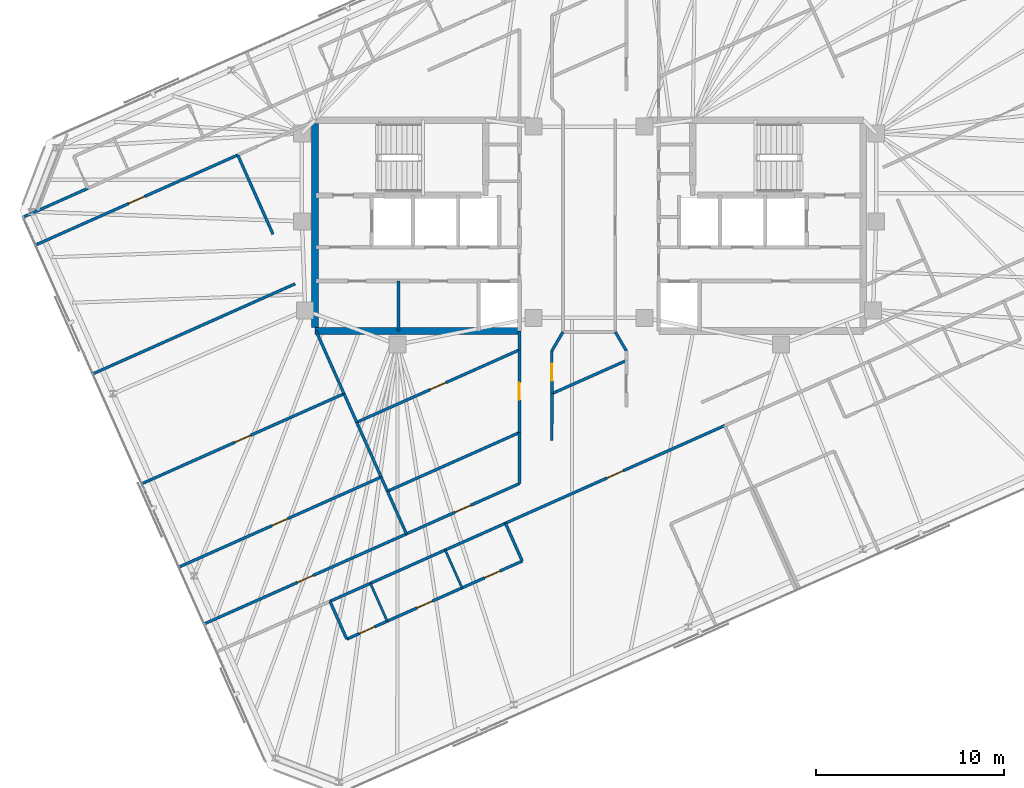
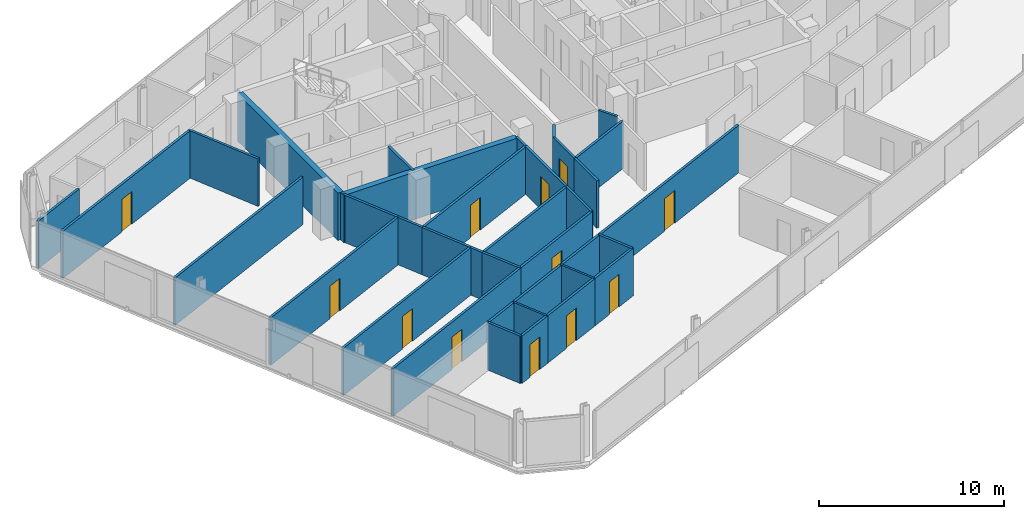
# One storey, part 13 of 19: 37 walls, 12 doors, 12 openings.
"""IFC4 building model written with IfcOpenShell, lengths in metres."""

from ifc_helpers import new_model, si_unit, direction, frame, frame_2d, origin, place, context, subcontext, project, spatial, rectangle, extrude, material, layer, layer_set, type_object, element, fill, save


model = new_model("IFC4")

# Units and contexts
model_context = context("Model", 3, precision=1e-05, world=origin(), true_north=direction((0.0, 1.0)))
body_context = subcontext(model_context, "Body", "Model", "MODEL_VIEW")
ifc_project = project(units=[si_unit("LENGTHUNIT", "METRE"), si_unit("AREAUNIT", "SQUARE_METRE"), si_unit("VOLUMEUNIT", "CUBIC_METRE"), si_unit("PLANEANGLEUNIT", "RADIAN"), si_unit("MASSUNIT", "GRAM", prefix="KILO")], contexts=[model_context])

# Site, building, storey
site_placement = place(None, origin())
site = spatial("IfcSite", under=ifc_project, at=site_placement, CompositionType="ELEMENT")
building_placement = place(site_placement, origin())
building = spatial("IfcBuilding", under=site, at=building_placement, Name="Menara Jurai Vektor", CompositionType="ELEMENT")
storey_placement = place(building_placement, frame((0.0, 0.0, 265.550048828125)))
storey = spatial("IfcBuildingStorey", under=building, at=storey_placement, Name="L71", CompositionType="ELEMENT", Elevation=265.550048828125)

# Walls
ifc_material_1 = material(Name="Gypsum Fireboard Partition", Category="gypsum")
ifc_layer_1 = layer(ifc_material_1, 0.14990234375)
ifc_layer_set_1 = layer_set([ifc_layer_1], Name="Gypsum Fireboard Partition")
wall_type_1 = type_object("IfcWallType", Name="INT-WALL-CORR-150", PredefinedType="PARTITIONING", material=ifc_layer_set_1)
wall_1_placement = place(storey_placement, frame((-10.1201171875, -5.60009765625, 0.0), z_axis=(0.0, 0.0, 1.0), x_axis=(0.0, 1.0, 0.0)))
element("IfcWall", 1, at=wall_1_placement, inside=storey, type_object=wall_type_1, Name="Interior Wall IW-150 L71", PredefinedType="PARTITIONING", context=body_context, shape_type="SweptSolid", body=[
    extrude(rectangle(XDim=2.650146484375, YDim=0.14990234375, at=frame_2d((1.3251953125, 0.0))), origin(), (0.0, 0.0, 1.0), 3.125),
])
wall_2_placement = place(storey_placement, frame((-30.063232421875, 0.44384765625, 0.0), z_axis=(0.0, 0.0, 1.0), x_axis=(0.913541633228, 0.406745232743, 0.0)))
element("IfcWall", 2, at=wall_2_placement, inside=storey, type_object=wall_type_1, Name="Interior Wall IW-150 L71", PredefinedType="PARTITIONING", context=body_context, shape_type="SweptSolid", body=[
    extrude(rectangle(XDim=3.77001953125, YDim=0.14990234375, at=frame_2d((1.885009765625, 0.0))), origin(), (0.0, 0.0, 1.0), 3.125),
])

# Wall, opening, door
wall_3_placement = place(storey_placement, frame((-4.445068359375, -15.808349609375, 0.0), z_axis=(0.0, 0.0, 1.0), x_axis=(0.913546853922, 0.406733506966, 0.0)))
wall_3 = element("IfcWall", 3, at=wall_3_placement, inside=storey, type_object=wall_type_1, Name="Interior Wall IW-150 L71", PredefinedType="PARTITIONING", context=body_context, shape_type="SweptSolid", body=[
    extrude(rectangle(XDim=12.7509765625, YDim=0.14990234375, at=frame_2d((6.37548828125, 0.0))), origin(), (0.0, 0.0, 1.0), 3.125),
])
opening_1_placement = place(wall_3_placement, frame((5.900390625, 0.0, 0.0)))
opening_1 = element("IfcOpeningElement", 4, at=opening_1_placement, cuts=wall_3, Name="Opening D71-22", PredefinedType="OPENING", context=body_context, shape_type="SweptSolid", body=[
    extrude(rectangle(XDim=0.949951171875, YDim=2.14990234375, at=frame_2d((0.47509765625, 1.074951171875))), frame((0.0, 0.0849609375, 0.0), z_axis=(0.0, -1.0, 0.0), x_axis=(1.0, 0.0, 0.0)), (0.0, 0.0, 1.0), 0.169921875),
])
ifc_material_2 = material(Name="Solid Core Timber Fire Door", Category="wood")
door_type_1 = type_object("IfcDoorType", Name="DR-ENTRY-950", OperationType="NOTDEFINED", PredefinedType="DOOR", material=ifc_material_2)
door_1_placement = place(opening_1_placement, origin())
door_1 = element("IfcDoor", 5, at=door_1_placement, inside=storey, type_object=door_type_1, Name="Interior Door D71-22", OperationType="SINGLE_SWING_RIGHT", OverallHeight=2.14990234375, OverallWidth=0.949951171875, PredefinedType="DOOR", context=body_context, shape_type="SweptSolid", body=[
    extrude(rectangle(XDim=0.949951171875, YDim=2.14990234375, at=frame_2d((0.47509765625, 1.074951171875))), frame((0.0, 0.02490234375, 0.0), z_axis=(0.0, -1.0, 0.0), x_axis=(1.0, 0.0, 0.0)), (0.0, 0.0, 1.0), 0.050048828125),
])
fill(opening_1, door_1)

# Walls
wall_4_placement = place(storey_placement, frame((-13.76318359375, -19.95703125, 0.0), z_axis=(0.0, 0.0, 1.0), x_axis=(0.913541436194, 0.406745675276, 0.0)))
element("IfcWall", 6, at=wall_4_placement, inside=storey, type_object=wall_type_1, Name="Interior Wall IW-150 L71", PredefinedType="PARTITIONING", context=body_context, shape_type="SweptSolid", body=[
    extrude(rectangle(XDim=2.349853515625, YDim=0.14990234375, at=frame_2d((1.1748046875, 0.0))), origin(), (0.0, 0.0, 1.0), 3.125),
])
wall_5_placement = place(storey_placement, frame((-11.616455078125, -19.001220703125, 0.0), z_axis=(0.0, 0.0, 1.0), x_axis=(0.913545193015, 0.406737237438, 0.0)))
element("IfcWall", 7, at=wall_5_placement, inside=storey, type_object=wall_type_1, Name="Interior Wall IW-150 L71", PredefinedType="PARTITIONING", context=body_context, shape_type="SweptSolid", body=[
    extrude(rectangle(XDim=4.349853515625, YDim=0.14990234375, at=frame_2d((2.1748046875, 0.0))), origin(), (0.0, 0.0, 1.0), 3.125),
])
wall_6_placement = place(storey_placement, frame((-7.642578125, -17.23193359375, 0.0), z_axis=(0.0, 0.0, 1.0), x_axis=(0.913549606868, 0.406727323635, 0.0)))
element("IfcWall", 8, at=wall_6_placement, inside=storey, type_object=wall_type_1, Name="Interior Wall IW-150 L71", PredefinedType="PARTITIONING", context=body_context, shape_type="SweptSolid", body=[
    extrude(rectangle(XDim=3.5, YDim=0.14990234375, at=frame_2d((1.75, 0.0))), origin(), (0.0, 0.0, 1.0), 3.125),
])

# Wall, opening, door
wall_7_placement = place(storey_placement, frame((-20.4453125, -21.15869140625, 0.0), z_axis=(0.0, 0.0, 1.0), x_axis=(0.913547681516, 0.406731648137, 0.0)))
wall_7 = element("IfcWall", 9, at=wall_7_placement, inside=storey, type_object=wall_type_1, Name="Interior Wall IW-150 L71", PredefinedType="PARTITIONING", context=body_context, shape_type="SweptSolid", body=[
    extrude(rectangle(XDim=11.760009765625, YDim=0.14990234375, at=frame_2d((5.8798828125, 0.0))), origin(), (0.0, 0.0, 1.0), 3.125),
])
opening_2_placement = place(wall_7_placement, frame((5.419921875, 0.0, 0.0)))
opening_2 = element("IfcOpeningElement", 10, at=opening_2_placement, cuts=wall_7, Name="Opening D71-32", PredefinedType="OPENING", context=body_context, shape_type="SweptSolid", body=[
    extrude(rectangle(XDim=0.919921875, YDim=2.14990234375, at=frame_2d((0.4599609375, 1.074951171875))), frame((0.0, 0.0849609375, 0.0), z_axis=(0.0, -1.0, 0.0), x_axis=(1.0, 0.0, 0.0)), (0.0, 0.0, 1.0), 0.169921875),
])
door_2_placement = place(opening_2_placement, origin())
door_2 = element("IfcDoor", 11, at=door_2_placement, inside=storey, type_object=door_type_1, Name="Interior Door D71-32", OperationType="SINGLE_SWING_RIGHT", OverallHeight=2.14990234375, OverallWidth=0.919921875, PredefinedType="DOOR", context=body_context, shape_type="SweptSolid", body=[
    extrude(rectangle(XDim=0.919921875, YDim=2.14990234375, at=frame_2d((0.4599609375, 1.074951171875))), frame((0.0, 0.02490234375, 0.0), z_axis=(0.0, -1.0, 0.0), x_axis=(1.0, 0.0, 0.0)), (0.0, 0.0, 1.0), 0.050048828125),
])
fill(opening_2, door_2)

wall_8_placement = place(storey_placement, frame((-29.404296875, -1.0361328125, 0.0), z_axis=(0.0, 0.0, 1.0), x_axis=(0.913544247064, 0.406739362069, 0.0)))
wall_8 = element("IfcWall", 12, at=wall_8_placement, inside=storey, type_object=wall_type_1, Name="Interior Wall IW-150 L71", PredefinedType="PARTITIONING", context=body_context, shape_type="SweptSolid", body=[
    extrude(rectangle(XDim=11.759765625, YDim=0.14990234375, at=frame_2d((5.8798828125, 0.0))), origin(), (0.0, 0.0, 1.0), 3.125),
])
opening_3_placement = place(wall_8_placement, frame((5.419921875, 0.0, 0.0)))
opening_3 = element("IfcOpeningElement", 13, at=opening_3_placement, cuts=wall_8, Name="Opening D71-35", PredefinedType="OPENING", context=body_context, shape_type="SweptSolid", body=[
    extrude(rectangle(XDim=0.919921875, YDim=2.14990234375, at=frame_2d((0.4599609375, 1.074951171875))), frame((0.0, 0.0849609375, 0.0), z_axis=(0.0, -1.0, 0.0), x_axis=(1.0, 0.0, 0.0)), (0.0, 0.0, 1.0), 0.169921875),
])
door_3_placement = place(opening_3_placement, origin())
door_3 = element("IfcDoor", 14, at=door_3_placement, inside=storey, type_object=door_type_1, Name="Interior Door D71-35", OperationType="SINGLE_SWING_LEFT", OverallHeight=2.14990234375, OverallWidth=0.919921875, PredefinedType="DOOR", context=body_context, shape_type="SweptSolid", body=[
    extrude(rectangle(XDim=0.919921875, YDim=2.14990234375, at=frame_2d((0.4599609375, 1.074951171875))), frame((0.0, 0.02490234375, 0.0), z_axis=(0.0, -1.0, 0.0), x_axis=(1.0, 0.0, 0.0)), (0.0, 0.0, 1.0), 0.050048828125),
])
fill(opening_3, door_3)

# Wall
wall_9_placement = place(storey_placement, frame((-1.97998046875, -11.4072265625, 0.0), z_axis=(0.0, 0.0, 1.0), x_axis=(9.8551295e-05, 0.999999995144, 0.0)))
element("IfcWall", 15, at=wall_9_placement, inside=storey, type_object=wall_type_1, Name="Interior Wall IW-150 L71", PredefinedType="PARTITIONING", context=body_context, shape_type="SweptSolid", body=[
    extrude(rectangle(XDim=2.477294921875, YDim=0.14990234375, at=frame_2d((1.23876953125, 0.0))), origin(), (0.0, 0.0, 1.0), 3.125),
])

# Wall, opening, door
wall_10_placement = place(storey_placement, frame((-1.979736328125, -8.929931640625, 0.0), z_axis=(0.0, 0.0, 1.0), x_axis=(-0.000107446008, 0.999999994228, 0.0)))
wall_10 = element("IfcWall", 16, at=wall_10_placement, inside=storey, type_object=wall_type_1, Name="Interior Wall IW-150 L71", PredefinedType="PARTITIONING", context=body_context, shape_type="SweptSolid", body=[
    extrude(rectangle(XDim=2.272216796875, YDim=0.14990234375, at=frame_2d((1.13623046875, 0.0))), origin(), (0.0, 0.0, 1.0), 3.125),
])
opening_4_placement = place(wall_10_placement, frame((0.67626953125, 0.0, 0.0)))
opening_4 = element("IfcOpeningElement", 17, at=opening_4_placement, cuts=wall_10, Name="Opening D71-38", PredefinedType="OPENING", context=body_context, shape_type="SweptSolid", body=[
    extrude(rectangle(XDim=0.919921875, YDim=2.14990234375, at=frame_2d((0.4599609375, 1.074951171875))), frame((0.0, 0.0849609375, 0.0), z_axis=(0.0, -1.0, 0.0), x_axis=(1.0, 0.0, 0.0)), (0.0, 0.0, 1.0), 0.169921875),
])
door_4_placement = place(opening_4_placement, origin())
door_4 = element("IfcDoor", 18, at=door_4_placement, inside=storey, type_object=door_type_1, Name="Interior Door D71-38", OperationType="SINGLE_SWING_RIGHT", OverallHeight=2.14990234375, OverallWidth=0.919921875, PredefinedType="DOOR", context=body_context, shape_type="SweptSolid", body=[
    extrude(rectangle(XDim=0.919921875, YDim=2.14990234375, at=frame_2d((0.4599609375, 1.074951171875))), frame((0.0, 0.02490234375, 0.0), z_axis=(0.0, -1.0, 0.0), x_axis=(1.0, 0.0, 0.0)), (0.0, 0.0, 1.0), 0.050048828125),
])
fill(opening_4, door_4)

# Walls
wall_11_placement = place(storey_placement, frame((-1.97998046875, -6.65771484375, 0.0), z_axis=(0.0, 0.0, 1.0), x_axis=(0.504651025514, 0.863323428645, 0.0)))
element("IfcWall", 19, at=wall_11_placement, inside=storey, type_object=wall_type_1, Name="Interior Wall IW-150 L71", PredefinedType="PARTITIONING", context=body_context, shape_type="SweptSolid", body=[
    extrude(rectangle(XDim=1.16748046875, YDim=0.14990234375, at=frame_2d((0.583740234375, 0.0))), origin(), (0.0, 0.0, 1.0), 3.125),
])
wall_12_placement = place(storey_placement, frame((1.390869140625, -5.650390625, 0.0), z_axis=(0.0, 0.0, 1.0), x_axis=(0.504339173621, -0.863505644424, 0.0)))
element("IfcWall", 20, at=wall_12_placement, inside=storey, type_object=wall_type_1, Name="Interior Wall IW-150 L71", PredefinedType="PARTITIONING", context=body_context, shape_type="SweptSolid", body=[
    extrude(rectangle(XDim=1.167236328125, YDim=0.14990234375, at=frame_2d((0.58349609375, 0.0))), origin(), (0.0, 0.0, 1.0), 3.125),
])

# Wall, opening, door
wall_13_placement = place(storey_placement, frame((-9.701904296875, -16.37548828125, 0.0), z_axis=(0.0, 0.0, 1.0), x_axis=(0.913552389019, 0.406721074594, 0.0)))
wall_13 = element("IfcWall", 21, at=wall_13_placement, inside=storey, type_object=wall_type_1, Name="Interior Wall IW-150 L71", PredefinedType="PARTITIONING", context=body_context, shape_type="SweptSolid", body=[
    extrude(rectangle(XDim=6.56982421875, YDim=0.14990234375, at=frame_2d((3.284912109375, 0.0))), origin(), (0.0, 0.0, 1.0), 3.125),
])
opening_5_placement = place(wall_13_placement, frame((2.824951171875, 0.0, 0.0)))
opening_5 = element("IfcOpeningElement", 22, at=opening_5_placement, cuts=wall_13, Name="Opening D71-41", PredefinedType="OPENING", context=body_context, shape_type="SweptSolid", body=[
    extrude(rectangle(XDim=0.919921875, YDim=2.14990234375, at=frame_2d((0.4599609375, 1.074951171875))), frame((0.0, 0.0849609375, 0.0), z_axis=(0.0, -1.0, 0.0), x_axis=(1.0, 0.0, 0.0)), (0.0, 0.0, 1.0), 0.169921875),
])
door_5_placement = place(opening_5_placement, origin())
door_5 = element("IfcDoor", 23, at=door_5_placement, inside=storey, type_object=door_type_1, Name="Interior Door D71-41", OperationType="SINGLE_SWING_LEFT", OverallHeight=2.14990234375, OverallWidth=0.919921875, PredefinedType="DOOR", context=body_context, shape_type="SweptSolid", body=[
    extrude(rectangle(XDim=0.919921875, YDim=2.14990234375, at=frame_2d((0.4599609375, 1.074951171875))), frame((0.0, 0.02490234375, 0.0), z_axis=(0.0, -1.0, 0.0), x_axis=(1.0, 0.0, 0.0)), (0.0, 0.0, 1.0), 0.050048828125),
])
fill(opening_5, door_5)

# Wall
wall_14_placement = place(storey_placement, frame((-3.699951171875, -13.703369140625, 0.0), z_axis=(0.0, 0.0, 1.0), x_axis=(9.0033312e-05, 0.999999995947, 0.0)))
element("IfcWall", 24, at=wall_14_placement, inside=storey, type_object=wall_type_1, Name="Interior Wall IW-150 L71", PredefinedType="PARTITIONING", context=body_context, shape_type="SweptSolid", body=[
    extrude(rectangle(XDim=2.711669921875, YDim=0.14990234375, at=frame_2d((1.35595703125, 0.0))), origin(), (0.0, 0.0, 1.0), 3.125),
])

# Wall, opening, door
wall_15_placement = place(storey_placement, frame((-3.69970703125, -10.99169921875, 0.0), z_axis=(0.0, 0.0, 1.0), x_axis=(0.0, 1.0, 0.0)))
wall_15 = element("IfcWall", 25, at=wall_15_placement, inside=storey, type_object=wall_type_1, Name="Interior Wall IW-150 L71", PredefinedType="PARTITIONING", context=body_context, shape_type="SweptSolid", body=[
    extrude(rectangle(XDim=4.390625, YDim=0.14990234375, at=frame_2d((2.1953125, 0.0))), origin(), (0.0, 0.0, 1.0), 3.125),
])
opening_6_placement = place(wall_15_placement, frame((1.7353515625, 0.0, 0.0)))
opening_6 = element("IfcOpeningElement", 26, at=opening_6_placement, cuts=wall_15, Name="Opening D71-42", PredefinedType="OPENING", context=body_context, shape_type="SweptSolid", body=[
    extrude(rectangle(XDim=0.919921875, YDim=2.14990234375, at=frame_2d((0.4599609375, 1.074951171875))), frame((0.0, 0.0849609375, 0.0), z_axis=(0.0, -1.0, 0.0), x_axis=(1.0, 0.0, 0.0)), (0.0, 0.0, 1.0), 0.169921875),
])
door_6_placement = place(opening_6_placement, origin())
door_6 = element("IfcDoor", 27, at=door_6_placement, inside=storey, type_object=door_type_1, Name="Interior Door D71-42", OperationType="SINGLE_SWING_RIGHT", OverallHeight=2.14990234375, OverallWidth=0.919921875, PredefinedType="DOOR", context=body_context, shape_type="SweptSolid", body=[
    extrude(rectangle(XDim=0.919921875, YDim=2.14990234375, at=frame_2d((0.4599609375, 1.074951171875))), frame((0.0, 0.02490234375, 0.0), z_axis=(0.0, -1.0, 0.0), x_axis=(1.0, 0.0, 0.0)), (0.0, 0.0, 1.0), 0.050048828125),
])
fill(opening_6, door_6)

# Walls
wall_16_placement = place(storey_placement, frame((-3.69970703125, -6.60107421875, 0.0), z_axis=(0.0, 0.0, 1.0), x_axis=(-0.000243783513, 0.999999970285, 0.0)))
element("IfcWall", 28, at=wall_16_placement, inside=storey, type_object=wall_type_1, Name="Interior Wall IW-150 L71", PredefinedType="PARTITIONING", context=body_context, shape_type="SweptSolid", body=[
    extrude(rectangle(XDim=1.00146484375, YDim=0.14990234375, at=frame_2d((0.500732421875, 0.0))), origin(), (0.0, 0.0, 1.0), 3.125),
])
wall_17_placement = place(storey_placement, frame((-12.868408203125, -21.966796875, 0.0), z_axis=(0.0, 0.0, 1.0), x_axis=(-0.406725294076, 0.913550510459, 0.0)))
element("IfcWall", 29, at=wall_17_placement, inside=storey, type_object=wall_type_1, Name="Interior Wall IW-150 L71", PredefinedType="PARTITIONING", context=body_context, shape_type="SweptSolid", body=[
    extrude(rectangle(XDim=2.199951171875, YDim=0.14990234375, at=frame_2d((1.10009765625, 0.0))), origin(), (0.0, 0.0, 1.0), 3.125),
])

# Wall, opening, door
wall_18_placement = place(storey_placement, frame((-12.868408203125, -21.966796875, 0.0), z_axis=(0.0, 0.0, 1.0), x_axis=(0.913541436194, 0.406745675276, 0.0)))
wall_18 = element("IfcWall", 30, at=wall_18_placement, inside=storey, type_object=wall_type_1, Name="Interior Wall IW-150 L71", PredefinedType="PARTITIONING", context=body_context, shape_type="SweptSolid", body=[
    extrude(rectangle(XDim=2.349853515625, YDim=0.14990234375, at=frame_2d((1.1748046875, 0.0))), origin(), (0.0, 0.0, 1.0), 3.125),
])
opening_7_placement = place(wall_18_placement, frame((0.735107421875, 0.0, 0.0)))
opening_7 = element("IfcOpeningElement", 31, at=opening_7_placement, cuts=wall_18, Name="Opening D71-23", PredefinedType="OPENING", context=body_context, shape_type="SweptSolid", body=[
    extrude(rectangle(XDim=0.8798828125, YDim=2.14990234375, at=frame_2d((0.43994140625, 1.074951171875))), frame((0.0, 0.0849609375, 0.0), z_axis=(0.0, -1.0, 0.0), x_axis=(1.0, 0.0, 0.0)), (0.0, 0.0, 1.0), 0.169921875),
])
ifc_material_3 = material(Name="Moisture-Resistant Timber Door", Category="wood")
door_type_2 = type_object("IfcDoorType", Name="DR-BATH-880", OperationType="NOTDEFINED", PredefinedType="DOOR", material=ifc_material_3)
door_7_placement = place(opening_7_placement, origin())
door_7 = element("IfcDoor", 32, at=door_7_placement, inside=storey, type_object=door_type_2, Name="Interior Door D71-23", OperationType="SINGLE_SWING_LEFT", OverallHeight=2.14990234375, OverallWidth=0.8798828125, PredefinedType="DOOR", context=body_context, shape_type="SweptSolid", body=[
    extrude(rectangle(XDim=0.8798828125, YDim=2.14990234375, at=frame_2d((0.43994140625, 1.074951171875))), frame((0.0, 0.02490234375, 0.0), z_axis=(0.0, -1.0, 0.0), x_axis=(1.0, 0.0, 0.0)), (0.0, 0.0, 1.0), 0.050048828125),
])
fill(opening_7, door_7)

wall_19_placement = place(storey_placement, frame((-10.7216796875, -21.010986328125, 0.0), z_axis=(0.0, 0.0, 1.0), x_axis=(0.913545193015, 0.406737237438, 0.0)))
wall_19 = element("IfcWall", 33, at=wall_19_placement, inside=storey, type_object=wall_type_1, Name="Interior Wall IW-150 L71", PredefinedType="PARTITIONING", context=body_context, shape_type="SweptSolid", body=[
    extrude(rectangle(XDim=4.349853515625, YDim=0.14990234375, at=frame_2d((2.1748046875, 0.0))), origin(), (0.0, 0.0, 1.0), 3.125),
])
opening_8_placement = place(wall_19_placement, frame((1.72509765625, 0.0, 0.0)))
opening_8 = element("IfcOpeningElement", 34, at=opening_8_placement, cuts=wall_19, Name="Opening D71-24", PredefinedType="OPENING", context=body_context, shape_type="SweptSolid", body=[
    extrude(rectangle(XDim=0.89990234375, YDim=2.14990234375, at=frame_2d((0.449951171875, 1.074951171875))), frame((0.0, 0.0849609375, 0.0), z_axis=(0.0, -1.0, 0.0), x_axis=(1.0, 0.0, 0.0)), (0.0, 0.0, 1.0), 0.169921875),
])
ifc_material_4 = material(Name="Acoustic Timber Interior Door", Category="wood")
door_type_3 = type_object("IfcDoorType", Name="DR-ROOM-900", OperationType="NOTDEFINED", PredefinedType="DOOR", material=ifc_material_4)
door_8_placement = place(opening_8_placement, origin())
door_8 = element("IfcDoor", 35, at=door_8_placement, inside=storey, type_object=door_type_3, Name="Interior Door D71-24", OperationType="SINGLE_SWING_RIGHT", OverallHeight=2.14990234375, OverallWidth=0.89990234375, PredefinedType="DOOR", context=body_context, shape_type="SweptSolid", body=[
    extrude(rectangle(XDim=0.89990234375, YDim=2.14990234375, at=frame_2d((0.449951171875, 1.074951171875))), frame((0.0, 0.02490234375, 0.0), z_axis=(0.0, -1.0, 0.0), x_axis=(1.0, 0.0, 0.0)), (0.0, 0.0, 1.0), 0.050048828125),
])
fill(opening_8, door_8)

wall_20_placement = place(storey_placement, frame((-6.747802734375, -19.24169921875, 0.0), z_axis=(0.0, 0.0, 1.0), x_axis=(0.913549606868, 0.406727323635, 0.0)))
wall_20 = element("IfcWall", 36, at=wall_20_placement, inside=storey, type_object=wall_type_1, Name="Interior Wall IW-150 L71", PredefinedType="PARTITIONING", context=body_context, shape_type="SweptSolid", body=[
    extrude(rectangle(XDim=3.5, YDim=0.14990234375, at=frame_2d((1.75, 0.0))), origin(), (0.0, 0.0, 1.0), 3.125),
])
opening_9_placement = place(wall_20_placement, frame((1.31005859375, 0.0, 0.0)))
opening_9 = element("IfcOpeningElement", 37, at=opening_9_placement, cuts=wall_20, Name="Opening D71-25", PredefinedType="OPENING", context=body_context, shape_type="SweptSolid", body=[
    extrude(rectangle(XDim=0.8798828125, YDim=2.14990234375, at=frame_2d((0.43994140625, 1.074951171875))), frame((0.0, 0.0849609375, 0.0), z_axis=(0.0, -1.0, 0.0), x_axis=(1.0, 0.0, 0.0)), (0.0, 0.0, 1.0), 0.169921875),
])
door_9_placement = place(opening_9_placement, origin())
door_9 = element("IfcDoor", 38, at=door_9_placement, inside=storey, type_object=door_type_2, Name="Interior Door D71-25", OperationType="SINGLE_SWING_LEFT", OverallHeight=2.14990234375, OverallWidth=0.8798828125, PredefinedType="DOOR", context=body_context, shape_type="SweptSolid", body=[
    extrude(rectangle(XDim=0.8798828125, YDim=2.14990234375, at=frame_2d((0.43994140625, 1.074951171875))), frame((0.0, 0.02490234375, 0.0), z_axis=(0.0, -1.0, 0.0), x_axis=(1.0, 0.0, 0.0)), (0.0, 0.0, 1.0), 0.050048828125),
])
fill(opening_9, door_9)

# Wall
wall_21_placement = place(storey_placement, frame((-3.55029296875, -17.818115234375, 0.0), z_axis=(0.0, 0.0, 1.0), x_axis=(-0.406725294076, 0.913550510459, 0.0)))
element("IfcWall", 39, at=wall_21_placement, inside=storey, type_object=wall_type_1, Name="Interior Wall IW-150 L71", PredefinedType="PARTITIONING", context=body_context, shape_type="SweptSolid", body=[
    extrude(rectangle(XDim=2.199951171875, YDim=0.14990234375, at=frame_2d((1.10009765625, 0.0))), origin(), (0.0, 0.0, 1.0), 3.125),
])

# Wall, opening, door
wall_22_placement = place(storey_placement, frame((-21.7890625, -18.140380859375, 0.0), z_axis=(0.0, 0.0, 1.0), x_axis=(0.913544247064, 0.406739362069, 0.0)))
wall_22 = element("IfcWall", 40, at=wall_22_placement, inside=storey, type_object=wall_type_1, Name="Interior Wall IW-150 L71", PredefinedType="PARTITIONING", context=body_context, shape_type="SweptSolid", body=[
    extrude(rectangle(XDim=11.759765625, YDim=0.14990234375, at=frame_2d((5.8798828125, 0.0))), origin(), (0.0, 0.0, 1.0), 3.125),
])
opening_10_placement = place(wall_22_placement, frame((5.419921875, 0.0, 0.0)))
opening_10 = element("IfcOpeningElement", 41, at=opening_10_placement, cuts=wall_22, Name="Opening D71-33", PredefinedType="OPENING", context=body_context, shape_type="SweptSolid", body=[
    extrude(rectangle(XDim=0.919921875, YDim=2.14990234375, at=frame_2d((0.4599609375, 1.074951171875))), frame((0.0, 0.0849609375, 0.0), z_axis=(0.0, -1.0, 0.0), x_axis=(1.0, 0.0, 0.0)), (0.0, 0.0, 1.0), 0.169921875),
])
door_10_placement = place(opening_10_placement, origin())
door_10 = element("IfcDoor", 42, at=door_10_placement, inside=storey, type_object=door_type_1, Name="Interior Door D71-33", OperationType="SINGLE_SWING_LEFT", OverallHeight=2.14990234375, OverallWidth=0.919921875, PredefinedType="DOOR", context=body_context, shape_type="SweptSolid", body=[
    extrude(rectangle(XDim=0.919921875, YDim=2.14990234375, at=frame_2d((0.4599609375, 1.074951171875))), frame((0.0, 0.02490234375, 0.0), z_axis=(0.0, -1.0, 0.0), x_axis=(1.0, 0.0, 0.0)), (0.0, 0.0, 1.0), 0.050048828125),
])
fill(opening_10, door_10)

# Walls
wall_23_placement = place(storey_placement, frame((-9.701904296875, -16.37548828125, 0.0), z_axis=(0.0, 0.0, 1.0), x_axis=(-0.406787689018, 0.913522728816, 0.0)))
element("IfcWall", 43, at=wall_23_placement, inside=storey, type_object=wall_type_1, Name="Interior Wall IW-150 L71", PredefinedType="PARTITIONING", context=body_context, shape_type="SweptSolid", body=[
    extrude(rectangle(XDim=2.476806640625, YDim=0.14990234375, at=frame_2d((1.23828125, 0.0))), origin(), (0.0, 0.0, 1.0), 3.125),
])
wall_24_placement = place(storey_placement, frame((-10.70947265625, -14.11279296875, 0.0), z_axis=(0.0, 0.0, 1.0), x_axis=(-0.406740884734, 0.913543569123, 0.0)))
element("IfcWall", 44, at=wall_24_placement, inside=storey, type_object=wall_type_1, Name="Interior Wall IW-150 L71", PredefinedType="PARTITIONING", context=body_context, shape_type="SweptSolid", body=[
    extrude(rectangle(XDim=0.8271484375, YDim=0.14990234375, at=frame_2d((0.41357421875, 0.0))), origin(), (0.0, 0.0, 1.0), 3.125),
])

# Wall, opening, door
wall_25_placement = place(storey_placement, frame((-23.760009765625, -13.71337890625, 0.0), z_axis=(0.0, 0.0, 1.0), x_axis=(0.913544247064, 0.406739362069, 0.0)))
wall_25 = element("IfcWall", 45, at=wall_25_placement, inside=storey, type_object=wall_type_1, Name="Interior Wall IW-150 L71", PredefinedType="PARTITIONING", context=body_context, shape_type="SweptSolid", body=[
    extrude(rectangle(XDim=11.759765625, YDim=0.14990234375, at=frame_2d((5.8798828125, 0.0))), origin(), (0.0, 0.0, 1.0), 3.125),
])
opening_11_placement = place(wall_25_placement, frame((5.419921875, 0.0, 0.0)))
opening_11 = element("IfcOpeningElement", 46, at=opening_11_placement, cuts=wall_25, Name="Opening D71-34", PredefinedType="OPENING", context=body_context, shape_type="SweptSolid", body=[
    extrude(rectangle(XDim=0.919921875, YDim=2.14990234375, at=frame_2d((0.4599609375, 1.074951171875))), frame((0.0, 0.0849609375, 0.0), z_axis=(0.0, -1.0, 0.0), x_axis=(1.0, 0.0, 0.0)), (0.0, 0.0, 1.0), 0.169921875),
])
door_11_placement = place(opening_11_placement, origin())
door_11 = element("IfcDoor", 47, at=door_11_placement, inside=storey, type_object=door_type_1, Name="Interior Door D71-34", OperationType="SINGLE_SWING_RIGHT", OverallHeight=2.14990234375, OverallWidth=0.919921875, PredefinedType="DOOR", context=body_context, shape_type="SweptSolid", body=[
    extrude(rectangle(XDim=0.919921875, YDim=2.14990234375, at=frame_2d((0.4599609375, 1.074951171875))), frame((0.0, 0.02490234375, 0.0), z_axis=(0.0, -1.0, 0.0), x_axis=(1.0, 0.0, 0.0)), (0.0, 0.0, 1.0), 0.050048828125),
])
fill(opening_11, door_11)

# Walls
wall_26_placement = place(storey_placement, frame((-11.0458984375, -13.357177734375, 0.0), z_axis=(0.0, 0.0, 1.0), x_axis=(-0.406707553978, 0.913558408388, 0.0)))
element("IfcWall", 48, at=wall_26_placement, inside=storey, type_object=wall_type_1, Name="Interior Wall IW-150 L71", PredefinedType="PARTITIONING", context=body_context, shape_type="SweptSolid", body=[
    extrude(rectangle(XDim=3.183837890625, YDim=0.14990234375, at=frame_2d((1.591796875, 0.0))), origin(), (0.0, 0.0, 1.0), 3.125),
])
wall_27_placement = place(storey_placement, frame((-12.3408203125, -10.448486328125, 0.0), z_axis=(0.0, 0.0, 1.0), x_axis=(-0.406751698222, 0.913538754511, 0.0)))
element("IfcWall", 49, at=wall_27_placement, inside=storey, type_object=wall_type_1, Name="Interior Wall IW-150 L71", PredefinedType="PARTITIONING", context=body_context, shape_type="SweptSolid", body=[
    extrude(rectangle(XDim=1.662109375, YDim=0.14990234375, at=frame_2d((0.8310546875, 0.0))), origin(), (0.0, 0.0, 1.0), 3.125),
])
wall_28_placement = place(storey_placement, frame((-26.3583984375, -7.877685546875, 0.0), z_axis=(0.0, 0.0, 1.0), x_axis=(0.913547681516, 0.406731648137, 0.0)))
element("IfcWall", 50, at=wall_28_placement, inside=storey, type_object=wall_type_1, Name="Interior Wall IW-150 L71", PredefinedType="PARTITIONING", context=body_context, shape_type="SweptSolid", body=[
    extrude(rectangle(XDim=11.760009765625, YDim=0.14990234375, at=frame_2d((5.8798828125, 0.0))), origin(), (0.0, 0.0, 1.0), 3.125),
])
wall_29_placement = place(storey_placement, frame((-13.016845703125, -8.93017578125, 0.0), z_axis=(0.0, 0.0, 1.0), x_axis=(-0.406722395322, 0.913551801018, 0.0)))
element("IfcWall", 51, at=wall_29_placement, inside=storey, type_object=wall_type_1, Name="Interior Wall IW-150 L71", PredefinedType="PARTITIONING", context=body_context, shape_type="SweptSolid", body=[
    extrude(rectangle(XDim=3.64599609375, YDim=0.14990234375, at=frame_2d((1.822998046875, 0.0))), origin(), (0.0, 0.0, 1.0), 3.125),
])
wall_30_placement = place(storey_placement, frame((-16.78857421875, -0.458740234375, 0.0), z_axis=(0.0, 0.0, 1.0), x_axis=(-0.406738654026, 0.913544562307, 0.0)))
element("IfcWall", 52, at=wall_30_placement, inside=storey, type_object=wall_type_1, Name="Interior Wall IW-150 L71", PredefinedType="PARTITIONING", context=body_context, shape_type="SweptSolid", body=[
    extrude(rectangle(XDim=4.603759765625, YDim=0.14990234375, at=frame_2d((2.3017578125, 0.0))), origin(), (0.0, 0.0, 1.0), 3.125),
])
wall_31_placement = place(storey_placement, frame((-1.979736328125, -8.929931640625, 0.0), z_axis=(0.0, 0.0, 1.0), x_axis=(0.913530252303, 0.406770793111, 0.0)))
element("IfcWall", 53, at=wall_31_placement, inside=storey, type_object=wall_type_1, Name="Interior Wall IW-150 L71", PredefinedType="PARTITIONING", context=body_context, shape_type="SweptSolid", body=[
    extrude(rectangle(XDim=4.333984375, YDim=0.14990234375, at=frame_2d((2.1669921875, 0.0))), origin(), (0.0, 0.0, 1.0), 3.125),
])
wall_32_placement = place(storey_placement, frame((-10.70947265625, -14.11279296875, 0.0), z_axis=(0.0, 0.0, 1.0), x_axis=(0.91353843513, 0.40675241553, 0.0)))
element("IfcWall", 54, at=wall_32_placement, inside=storey, type_object=wall_type_1, Name="Interior Wall IW-150 L71", PredefinedType="PARTITIONING", context=body_context, shape_type="SweptSolid", body=[
    extrude(rectangle(XDim=7.673095703125, YDim=0.14990234375, at=frame_2d((3.83642578125, 0.0))), origin(), (0.0, 0.0, 1.0), 3.125),
])

# Wall, opening, door
wall_33_placement = place(storey_placement, frame((-12.3408203125, -10.448486328125, 0.0), z_axis=(0.0, 0.0, 1.0), x_axis=(0.913539934271, 0.406749048544, 0.0)))
wall_33 = element("IfcWall", 55, at=wall_33_placement, inside=storey, type_object=wall_type_1, Name="Interior Wall IW-150 L71", PredefinedType="PARTITIONING", context=body_context, shape_type="SweptSolid", body=[
    extrude(rectangle(XDim=9.458984375, YDim=0.14990234375, at=frame_2d((4.7294921875, 0.0))), origin(), (0.0, 0.0, 1.0), 3.125),
])
opening_12_placement = place(wall_33_placement, frame((4.26953125, 0.0, 0.0)))
opening_12 = element("IfcOpeningElement", 56, at=opening_12_placement, cuts=wall_33, Name="Opening D71-43", PredefinedType="OPENING", context=body_context, shape_type="SweptSolid", body=[
    extrude(rectangle(XDim=0.919921875, YDim=2.14990234375, at=frame_2d((0.4599609375, 1.074951171875))), frame((0.0, 0.0849609375, 0.0), z_axis=(0.0, -1.0, 0.0), x_axis=(1.0, 0.0, 0.0)), (0.0, 0.0, 1.0), 0.169921875),
])
door_12_placement = place(opening_12_placement, origin())
door_12 = element("IfcDoor", 57, at=door_12_placement, inside=storey, type_object=door_type_1, Name="Interior Door D71-43", OperationType="SINGLE_SWING_LEFT", OverallHeight=2.14990234375, OverallWidth=0.919921875, PredefinedType="DOOR", context=body_context, shape_type="SweptSolid", body=[
    extrude(rectangle(XDim=0.919921875, YDim=2.14990234375, at=frame_2d((0.4599609375, 1.074951171875))), frame((0.0, 0.02490234375, 0.0), z_axis=(0.0, -1.0, 0.0), x_axis=(1.0, 0.0, 0.0)), (0.0, 0.0, 1.0), 0.050048828125),
])
fill(opening_12, door_12)

# Walls
ifc_material_5 = material(Name="Gypsum Acoustic Stud Partition", Category="gypsum")
ifc_layer_2 = layer(ifc_material_5, 0.1201171875)
ifc_layer_set_2 = layer_set([ifc_layer_2], Name="Gypsum Acoustic Stud Partition")
wall_type_2 = type_object("IfcWallType", Name="INT-WALL-PART-120", PredefinedType="PARTITIONING", material=ifc_layer_set_2)
for number, where, z_axis, x_axis, name in (
    (58, (-10.7216796875, -21.010986328125, 0.0), (0.0, 0.0, 1.0), (-0.406725294076, 0.913550510459, 0.0), "Interior Wall IW-120 L71"),
    (59, (-6.747802734375, -19.24169921875, 0.0), (0.0, 0.0, 1.0), (-0.406725294076, 0.913550510459, 0.0), "Interior Wall IW-120 L71"),
):
    element("IfcWall", number, at=place(storey_placement, frame(where, z_axis=z_axis, x_axis=x_axis)), inside=storey, type_object=wall_type_2, Name=name, PredefinedType="PARTITIONING", context=body_context, shape_type="SweptSolid", body=[
        extrude(rectangle(XDim=2.199951171875, YDim=0.1201171875, at=frame_2d((1.10009765625, 0.0))), origin(), (0.0, 0.0, 1.0), 3.125),
    ])
ifc_material_6 = material(Name="Concrete C50/60", Category="concrete")
ifc_layer_3 = layer(ifc_material_6, 0.35009765625)
ifc_layer_set_3 = layer_set([ifc_layer_3], Name="Concrete C50/60")
wall_type_3 = type_object("IfcWallType", Name="STR-WALL-CORE350", PredefinedType="SHEAR", material=ifc_layer_set_3)
wall_34_placement = place(storey_placement, frame((-14.56005859375, -5.60009765625, 0.0), z_axis=(0.0, 0.0, 1.0), x_axis=(1.0, 0.0, 0.0)))
element("IfcWall", 60, at=wall_34_placement, inside=storey, type_object=wall_type_3, Name="Core Shear Wall CW-W-S L71", PredefinedType="SHEAR", context=body_context, shape_type="SweptSolid", body=[
    extrude(rectangle(XDim=10.860107421875, YDim=0.35009765625, at=frame_2d((5.43017578125, 0.0))), origin(), (0.0, 0.0, 1.0), 3.125),
])
wall_35_placement = place(storey_placement, frame((-14.56005859375, -5.425048828125, 0.0), z_axis=(0.0, 0.0, 1.0), x_axis=(0.0, 1.0, 0.0)))
element("IfcWall", 61, at=wall_35_placement, inside=storey, type_object=wall_type_3, Name="Core Shear Wall CW-W-W L71", PredefinedType="SHEAR", context=body_context, shape_type="SweptSolid", body=[
    extrude(rectangle(XDim=10.85009765625, YDim=0.35009765625, at=frame_2d((5.425048828125, 0.0))), origin(), (0.0, 0.0, 1.0), 3.125),
])

save(model, "model.ifc")
